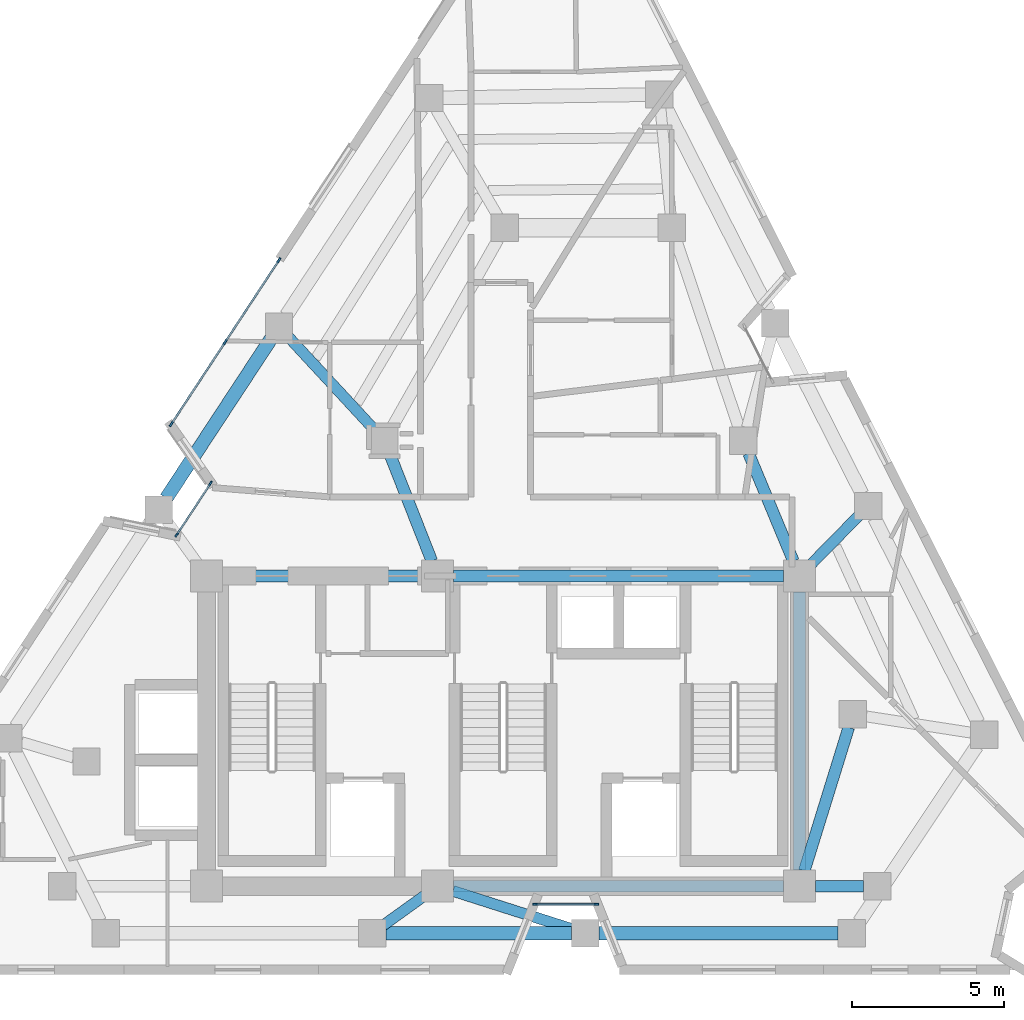
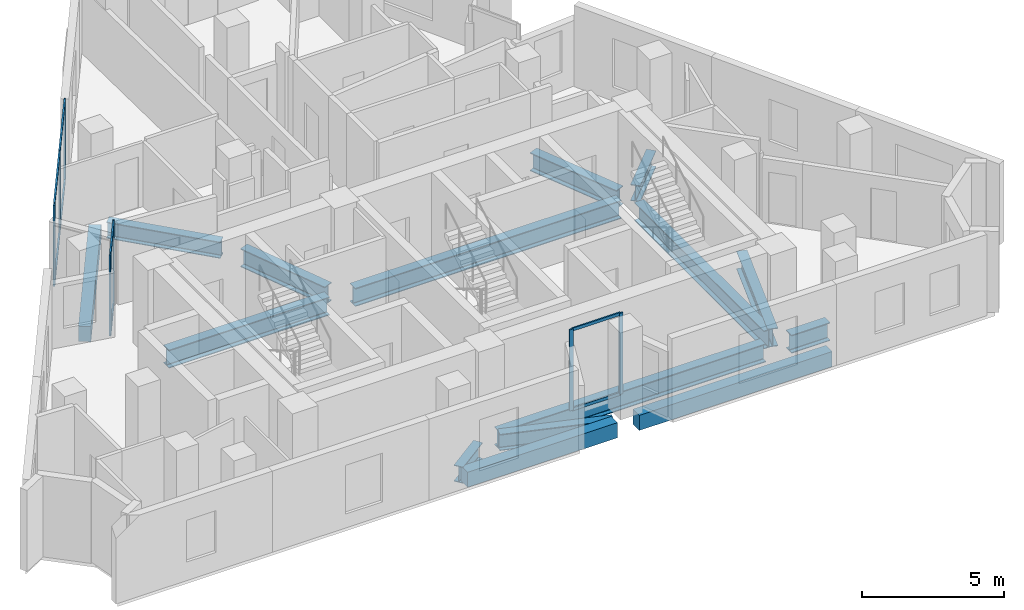
# One storey, part 2 of 9: 15 beams, 15 members, 3 elements without a shape of their own.
"""IFC4 building model written with IfcOpenShell, lengths in metres."""

from ifc_helpers import new_model, si_unit, direction, frame, origin, origin_2d, place, context, subcontext, project, spatial, rectangle, i_section, extrude, material, layer, layer_set, material_profile, profile_set, type_object, element, aggregate, save


model = new_model("IFC4")

# Units and contexts
model_context = context("Model", 3, precision=1e-05, world=origin(), true_north=direction((0.0, 1.0)))
body_context = subcontext(model_context, "Body", "Model", "MODEL_VIEW")
ifc_project = project(units=[si_unit("LENGTHUNIT", "METRE"), si_unit("AREAUNIT", "SQUARE_METRE"), si_unit("VOLUMEUNIT", "CUBIC_METRE"), si_unit("PLANEANGLEUNIT", "RADIAN"), si_unit("MASSUNIT", "GRAM", prefix="KILO")], contexts=[model_context])

# Site, building, storey
site_placement = place(None, origin())
site = spatial("IfcSite", under=ifc_project, at=site_placement, CompositionType="ELEMENT")
building_placement = place(site_placement, origin())
building = spatial("IfcBuilding", under=site, at=building_placement, Name="Almagre Mirador Tower", CompositionType="ELEMENT")
storey_placement = place(building_placement, frame((0.0, 0.0, 244.5)))
storey = spatial("IfcBuildingStorey", under=building, at=storey_placement, Name="L63", CompositionType="ELEMENT", Elevation=244.5)

# Beams
ifc_material_1 = material(Name="Precast concrete C50/60", Category="concrete")
ifc_material_profile_1 = material_profile(ifc_material_1, rectangle(XDim=0.449951171875, YDim=0.64990234375, at=origin_2d()), Name="RC450X650")
ifc_profile_set_1 = profile_set([ifc_material_profile_1], Name="Precast concrete C50/60")
beam_type_1 = type_object("IfcBeamType", Name="BM-SPN-RC450X650", PredefinedType="SPANDREL", material=ifc_profile_set_1)
beam_1_placement = place(storey_placement, frame((33.446044921875, 3.0, -0.574951171875), z_axis=(1.0, 0.0, 0.0), x_axis=(0.0, 1.0, 0.0)))
element("IfcBeam", 1, at=beam_1_placement, inside=storey, type_object=beam_type_1, Name="L63 perimeter spandrel beam PC02-PC03", PredefinedType="SPANDREL", context=body_context, shape_type="SweptSolid", body=[
    extrude(rectangle(XDim=0.449951171875, YDim=0.64990234375, at=origin_2d()), origin(), (0.0, 0.0, 1.0), 6.10791015625),
])
beam_2_placement = place(storey_placement, frame((40.4541015625, 3.0, -0.574951171875), z_axis=(1.0, 0.0, 0.0), x_axis=(0.0, 1.0, 0.0)))
element("IfcBeam", 2, at=beam_2_placement, inside=storey, type_object=beam_type_1, Name="L63 perimeter spandrel beam PC03-PC04", PredefinedType="SPANDREL", context=body_context, shape_type="SweptSolid", body=[
    extrude(rectangle(XDim=0.449951171875, YDim=0.64990234375, at=origin_2d()), origin(), (0.0, 0.0, 1.0), 7.85986328125),
])
beam_3_placement = place(storey_placement, frame((29.681884765625, 22.572998046875, -0.574951171875), z_axis=(-0.549024719226, -0.835806112492, 0.0), x_axis=(0.835806112492, -0.549024719226, 0.0)))
element("IfcBeam", 3, at=beam_3_placement, inside=storey, type_object=beam_type_1, Name="L63 perimeter spandrel beam PC10-PC11", PredefinedType="SPANDREL", context=body_context, shape_type="SweptSolid", body=[
    extrude(rectangle(XDim=0.449951171875, YDim=0.64990234375, at=origin_2d()), origin(), (0.0, 0.0, 1.0), 6.298095703125),
])
ifc_material_2 = material(Name="Steel ASTM A992 Grade 50", Category="steel")
ifc_material_profile_2 = material_profile(ifc_material_2, i_section(OverallWidth=0.35791015625, OverallDepth=0.7060546875, WebThickness=0.018310546875, FlangeThickness=0.0302734375, FilletRadius=0.02197265625, at=origin_2d()), Name="W27X178")
ifc_profile_set_2 = profile_set([ifc_material_profile_2], Name="Steel ASTM A992 Grade 50")
beam_type_2 = type_object("IfcBeamType", Name="BM-STL-W27X178", PredefinedType="BEAM", material=ifc_profile_set_2)
beam_4_placement = place(storey_placement, frame((33.361328125, 3.2626953125, -0.60302734375), z_axis=(0.81162535726, 0.584178294233, 0.0), x_axis=(-0.584178294233, 0.81162535726, 0.0)))
element("IfcBeam", 4, at=beam_4_placement, inside=storey, type_object=beam_type_2, Name="L63 radial floor girder PC02-CC2", PredefinedType="BEAM", context=body_context, shape_type="SweptSolid", body=[
    extrude(i_section(OverallWidth=0.35791015625, OverallDepth=0.7060546875, WebThickness=0.018310546875, FlangeThickness=0.0302734375, FilletRadius=0.02197265625, at=origin_2d()), origin(), (0.0, 0.0, 1.0), 1.6787109375),
])
beam_5_placement = place(storey_placement, frame((39.5751953125, 3.136962890625, -0.60302734375), z_axis=(-0.952606979741, 0.304203783914, 0.0), x_axis=(-0.304203783914, -0.952606979741, 0.0)))
element("IfcBeam", 5, at=beam_5_placement, inside=storey, type_object=beam_type_2, Name="L63 radial floor girder PC03-CC2", PredefinedType="BEAM", context=body_context, shape_type="SweptSolid", body=[
    extrude(i_section(OverallWidth=0.35791015625, OverallDepth=0.7060546875, WebThickness=0.018310546875, FlangeThickness=0.0302734375, FilletRadius=0.02197265625, at=origin_2d()), origin(), (0.0, 0.0, 1.0), 4.120361328125),
])
beam_6_placement = place(storey_placement, frame((48.99267578125, 16.72802734375, -0.60302734375), z_axis=(-0.700668518121, -0.713486949925, 0.0), x_axis=(0.713486949925, -0.700668518121, 0.0)))
element("IfcBeam", 6, at=beam_6_placement, inside=storey, type_object=beam_type_2, Name="L63 radial floor girder PC06-CC6", PredefinedType="BEAM", context=body_context, shape_type="SweptSolid", body=[
    extrude(i_section(OverallWidth=0.35791015625, OverallDepth=0.7060546875, WebThickness=0.018310546875, FlangeThickness=0.0302734375, FilletRadius=0.02197265625, at=origin_2d()), origin(), (0.0, 0.0, 1.0), 2.247314453125),
])
beam_7_placement = place(storey_placement, frame((30.234619140625, 22.618896484375, -0.60302734375), z_axis=(0.679380272184, -0.733786376112, 0.0), x_axis=(0.733786376112, 0.679380272184, 0.0)))
element("IfcBeam", 7, at=beam_7_placement, inside=storey, type_object=beam_type_2, Name="L63 radial floor girder PC10-MC8", PredefinedType="BEAM", context=body_context, shape_type="SweptSolid", body=[
    extrude(i_section(OverallWidth=0.35791015625, OverallDepth=0.7060546875, WebThickness=0.018310546875, FlangeThickness=0.0302734375, FilletRadius=0.02197265625, at=origin_2d()), origin(), (0.0, 0.0, 1.0), 4.209228515625),
])
ifc_material_3 = material(Name="Steel ASTM A992 Grade 50", Category="steel")
ifc_material_profile_3 = material_profile(ifc_material_3, i_section(OverallWidth=0.384033203125, OverallDepth=0.784912109375, WebThickness=0.019775390625, FlangeThickness=0.033447265625, FilletRadius=0.02392578125, at=origin_2d()), Name="W30X211")
ifc_profile_set_3 = profile_set([ifc_material_profile_3], Name="Steel ASTM A992 Grade 50")
beam_type_3 = type_object("IfcBeamType", Name="BM-STL-W30X211", PredefinedType="BEAM", material=ifc_profile_set_3)
beam_8_placement = place(storey_placement, frame((35.675048828125, 4.550048828125, -0.642578125), z_axis=(1.0, 0.0, 0.0), x_axis=(0.0, 1.0, 0.0)))
element("IfcBeam", 8, at=beam_8_placement, inside=storey, type_object=beam_type_3, Name="L63 core tie girder CC2-CC3", PredefinedType="BEAM", context=body_context, shape_type="SweptSolid", body=[
    extrude(i_section(OverallWidth=0.384033203125, OverallDepth=0.784912109375, WebThickness=0.019775390625, FlangeThickness=0.033447265625, FilletRadius=0.02392578125, at=origin_2d()), origin(), (0.0, 0.0, 1.0), 10.849853515625),
])
beam_9_placement = place(storey_placement, frame((28.074951171875, 14.75, -0.642578125), z_axis=(1.0, 0.0, 0.0), x_axis=(0.0, 1.0, 0.0)))
element("IfcBeam", 9, at=beam_9_placement, inside=storey, type_object=beam_type_3, Name="L63 core tie girder CC4-CC5", PredefinedType="BEAM", context=body_context, shape_type="SweptSolid", body=[
    extrude(i_section(OverallWidth=0.384033203125, OverallDepth=0.784912109375, WebThickness=0.019775390625, FlangeThickness=0.033447265625, FilletRadius=0.02392578125, at=origin_2d()), origin(), (0.0, 0.0, 1.0), 6.550048828125),
])
beam_10_placement = place(storey_placement, frame((35.675048828125, 14.75, -0.642578125), z_axis=(1.0, 0.0, 0.0), x_axis=(0.0, 1.0, 0.0)))
element("IfcBeam", 10, at=beam_10_placement, inside=storey, type_object=beam_type_3, Name="L63 core tie girder CC5-CC6", PredefinedType="BEAM", context=body_context, shape_type="SweptSolid", body=[
    extrude(i_section(OverallWidth=0.384033203125, OverallDepth=0.784912109375, WebThickness=0.019775390625, FlangeThickness=0.033447265625, FilletRadius=0.02392578125, at=origin_2d()), origin(), (0.0, 0.0, 1.0), 10.849853515625),
])
beam_11_placement = place(storey_placement, frame((47.050048828125, 5.074951171875, -0.642578125), z_axis=(0.0, 1.0, 0.0), x_axis=(-1.0, 0.0, 0.0)))
element("IfcBeam", 11, at=beam_11_placement, inside=storey, type_object=beam_type_3, Name="L63 core tie girder CC3-CC6", PredefinedType="BEAM", context=body_context, shape_type="SweptSolid", body=[
    extrude(i_section(OverallWidth=0.384033203125, OverallDepth=0.784912109375, WebThickness=0.019775390625, FlangeThickness=0.033447265625, FilletRadius=0.02392578125, at=origin_2d()), origin(), (0.0, 0.0, 1.0), 9.150146484375),
])
beam_12_placement = place(storey_placement, frame((49.14990234375, 4.550048828125, -0.642578125), z_axis=(-1.0, 0.0, 0.0), x_axis=(0.0, -1.0, 0.0)))
element("IfcBeam", 12, at=beam_12_placement, inside=storey, type_object=beam_type_3, Name="L63 core tie girder MC2-CC3", PredefinedType="BEAM", context=body_context, shape_type="SweptSolid", body=[
    extrude(i_section(OverallWidth=0.384033203125, OverallDepth=0.784912109375, WebThickness=0.019775390625, FlangeThickness=0.033447265625, FilletRadius=0.02392578125, at=origin_2d()), origin(), (0.0, 0.0, 1.0), 1.574951171875),
])
beam_13_placement = place(storey_placement, frame((48.6669921875, 9.77001953125, -0.642578125), z_axis=(-0.295901717967, -0.955218390372, 0.0), x_axis=(0.955218390372, -0.295901717967, 0.0)))
element("IfcBeam", 13, at=beam_13_placement, inside=storey, type_object=beam_type_3, Name="L63 core tie girder MC3-CC3", PredefinedType="BEAM", context=body_context, shape_type="SweptSolid", body=[
    extrude(i_section(OverallWidth=0.384033203125, OverallDepth=0.784912109375, WebThickness=0.019775390625, FlangeThickness=0.033447265625, FilletRadius=0.02392578125, at=origin_2d()), origin(), (0.0, 0.0, 1.0), 4.939697265625),
])
beam_14_placement = place(storey_placement, frame((45.372802734375, 18.784423828125, -0.642578125), z_axis=(0.383862140668, -0.923390414159, 0.0), x_axis=(0.923390414159, 0.383862140668, 0.0)))
element("IfcBeam", 14, at=beam_14_placement, inside=storey, type_object=beam_type_3, Name="L63 core tie girder MC5-CC6", PredefinedType="BEAM", context=body_context, shape_type="SweptSolid", body=[
    extrude(i_section(OverallWidth=0.384033203125, OverallDepth=0.784912109375, WebThickness=0.019775390625, FlangeThickness=0.033447265625, FilletRadius=0.02392578125, at=origin_2d()), origin(), (0.0, 0.0, 1.0), 3.843994140625),
])
beam_15_placement = place(storey_placement, frame((33.564697265625, 18.78125, -0.642578125), z_axis=(0.365999579355, -0.93061501595, 0.0), x_axis=(0.93061501595, 0.365999579355, 0.0)))
element("IfcBeam", 15, at=beam_15_placement, inside=storey, type_object=beam_type_3, Name="L63 core tie girder MC8-CC5", PredefinedType="BEAM", context=body_context, shape_type="SweptSolid", body=[
    extrude(i_section(OverallWidth=0.384033203125, OverallDepth=0.784912109375, WebThickness=0.019775390625, FlangeThickness=0.033447265625, FilletRadius=0.02392578125, at=origin_2d()), origin(), (0.0, 0.0, 1.0), 3.806884765625),
])

# Curtain wall, members
ifc_material_4 = material(Name="Black anodized aluminium", Category="aluminium")
ifc_layer_1 = layer(ifc_material_4, 0.169921875)
ifc_layer_set_1 = layer_set([ifc_layer_1], Name="Black anodized aluminium")
curtain_wall_type_1 = type_object("IfcCurtainWallType", Name="CW-CRS-SYS", PredefinedType="NOTDEFINED", material=ifc_layer_set_1)
curtain_wall_1_placement = place(storey_placement, origin())
curtain_wall_1 = element("IfcCurtainWall", 16, at=curtain_wall_1_placement, inside=storey, type_object=curtain_wall_type_1, Name="L63 vertical crease curtain wall 01", PredefinedType="NOTDEFINED")
ifc_material_5 = material(Name="Black anodized aluminium", Category="aluminium")
ifc_material_profile_4 = material_profile(ifc_material_5, rectangle(XDim=0.06005859375, YDim=0.14990234375, at=origin_2d()), Name="CWM60X150")
ifc_profile_set_4 = profile_set([ifc_material_profile_4], Name="Black anodized aluminium")
member_type_1 = type_object("IfcMemberType", Name="MBR-CWM60X150", PredefinedType="MULLION", material=ifc_profile_set_4)
member_1_placement = place(storey_placement, frame((26.5654296875, 16.09814453125, 0.0), z_axis=(0.0, 0.0, 1.0), x_axis=(-0.835931289344, 0.548834109267, 0.0)))
member_1 = element("IfcMember", 17, at=member_1_placement, type_object=member_type_1, Name="CW-4 mullion 1", PredefinedType="MULLION", context=body_context, shape_type="SweptSolid", body=[
    extrude(rectangle(XDim=0.06005859375, YDim=0.14990234375, at=origin_2d()), origin(), (0.0, 0.0, 1.0), 3.5),
])
member_2_placement = place(storey_placement, frame((27.679443359375, 17.794921875, 0.0), z_axis=(0.0, 0.0, 1.0), x_axis=(-0.835931289344, 0.548834109267, 0.0)))
member_2 = element("IfcMember", 18, at=member_2_placement, type_object=member_type_1, Name="CW-4 mullion 2", PredefinedType="MULLION", context=body_context, shape_type="SweptSolid", body=[
    extrude(rectangle(XDim=0.06005859375, YDim=0.14990234375, at=origin_2d()), origin(), (0.0, 0.0, 1.0), 3.5),
])

curtain_wall_2_placement = place(storey_placement, origin())
curtain_wall_2 = element("IfcCurtainWall", 19, at=curtain_wall_2_placement, inside=storey, type_object=curtain_wall_type_1, Name="L63 vertical crease curtain wall 04", PredefinedType="NOTDEFINED")
member_3_placement = place(storey_placement, frame((40.37890625, 3.949951171875, 0.0), z_axis=(0.0, 0.0, 1.0), x_axis=(0.0, -1.0, 0.0)))
member_3 = element("IfcMember", 20, at=member_3_placement, type_object=member_type_1, Name="CW-4 mullion 1", PredefinedType="MULLION", context=body_context, shape_type="SweptSolid", body=[
    extrude(rectangle(XDim=0.06005859375, YDim=0.14990234375, at=origin_2d()), origin(), (0.0, 0.0, 1.0), 3.5),
])
member_4_placement = place(storey_placement, frame((38.34912109375, 3.949951171875, 0.0), z_axis=(0.0, 0.0, 1.0), x_axis=(0.0, -1.0, 0.0)))
member_4 = element("IfcMember", 21, at=member_4_placement, type_object=member_type_1, Name="CW-4 mullion 2", PredefinedType="MULLION", context=body_context, shape_type="SweptSolid", body=[
    extrude(rectangle(XDim=0.06005859375, YDim=0.14990234375, at=origin_2d()), origin(), (0.0, 0.0, 1.0), 3.5),
])

ifc_material_6 = material(Name="Black anodized aluminium", Category="aluminium")
ifc_layer_2 = layer(ifc_material_6, 0.199951171875)
ifc_layer_set_2 = layer_set([ifc_layer_2], Name="Black anodized aluminium")
curtain_wall_type_2 = type_object("IfcCurtainWallType", Name="CW-RES-H-SYS", PredefinedType="NOTDEFINED", material=ifc_layer_set_2)
curtain_wall_3_placement = place(storey_placement, origin())
curtain_wall_3 = element("IfcCurtainWall", 22, at=curtain_wall_3_placement, inside=storey, type_object=curtain_wall_type_2, Name="L63 curtain wall run 02", PredefinedType="NOTDEFINED")
ifc_material_7 = material(Name="Black anodized aluminium", Category="aluminium")
ifc_material_profile_5 = material_profile(ifc_material_7, rectangle(XDim=0.06494140625, YDim=0.179931640625, at=origin_2d()), Name="CWM65X180")
ifc_profile_set_5 = profile_set([ifc_material_profile_5], Name="Black anodized aluminium")
member_type_2 = type_object("IfcMemberType", Name="MBR-CWM65X180", PredefinedType="MULLION", material=ifc_profile_set_5)
member_5_placement = place(storey_placement, frame((26.386962890625, 19.7421875, 0.0), z_axis=(0.0, 0.0, 1.0), x_axis=(-0.835800834097, 0.54903275469, 0.0)))
member_5 = element("IfcMember", 23, at=member_5_placement, type_object=member_type_2, Name="CW-3 mullion 1", PredefinedType="MULLION", context=body_context, shape_type="SweptSolid", body=[
    extrude(rectangle(XDim=0.06494140625, YDim=0.179931640625, at=origin_2d()), origin(), (0.0, 0.0, 1.0), 3.5),
])
member_6_placement = place(storey_placement, frame((28.158203125, 22.438720703125, 0.0), z_axis=(0.0, 0.0, 1.0), x_axis=(-0.835800834097, 0.54903275469, 0.0)))
member_6 = element("IfcMember", 24, at=member_6_placement, type_object=member_type_2, Name="CW-3 mullion 2", PredefinedType="MULLION", context=body_context, shape_type="SweptSolid", body=[
    extrude(rectangle(XDim=0.06494140625, YDim=0.179931640625, at=origin_2d()), origin(), (0.0, 0.0, 1.0), 3.5),
])
member_7_placement = place(storey_placement, frame((29.929443359375, 25.13525390625, 0.0), z_axis=(0.0, 0.0, 1.0), x_axis=(-0.835800834097, 0.54903275469, 0.0)))
member_7 = element("IfcMember", 25, at=member_7_placement, type_object=member_type_2, Name="CW-3 mullion 3", PredefinedType="MULLION", context=body_context, shape_type="SweptSolid", body=[
    extrude(rectangle(XDim=0.06494140625, YDim=0.179931640625, at=origin_2d()), origin(), (0.0, 0.0, 1.0), 3.5),
])

# Member
ifc_material_8 = material(Name="Black anodized aluminium", Category="aluminium")
ifc_material_profile_6 = material_profile(ifc_material_8, rectangle(XDim=0.06005859375, YDim=0.1298828125, at=origin_2d()), Name="CWT60X130")
ifc_profile_set_6 = profile_set([ifc_material_profile_6], Name="Black anodized aluminium")
member_type_3 = type_object("IfcMemberType", Name="MBR-CWT60X130", PredefinedType="USERDEFINED", material=ifc_profile_set_6)
member_8_placement = place(storey_placement, frame((26.58203125, 16.123046875, 0.030029296875), z_axis=(0.548794499346, 0.835957294057, 0.0), x_axis=(-0.835957294057, 0.548794499346, 0.0)))
member_8 = element("IfcMember", 26, at=member_8_placement, type_object=member_type_3, Name="CW-4 transom 1.1", ObjectType="TRANSOM", PredefinedType="USERDEFINED", context=body_context, shape_type="SweptSolid", body=[
    extrude(rectangle(XDim=0.06005859375, YDim=0.1298828125, at=origin_2d()), origin(), (0.0, 0.0, 1.0), 1.969970703125),
])

member_9_placement = place(storey_placement, frame((26.58203125, 16.123046875, 3.469970703125), z_axis=(0.548794499346, 0.835957294057, 0.0), x_axis=(-0.835957294057, 0.548794499346, 0.0)))
member_9 = element("IfcMember", 27, at=member_9_placement, type_object=member_type_3, Name="CW-4 transom 1.2", ObjectType="TRANSOM", PredefinedType="USERDEFINED", context=body_context, shape_type="SweptSolid", body=[
    extrude(rectangle(XDim=0.06005859375, YDim=0.1298828125, at=origin_2d()), origin(), (0.0, 0.0, 1.0), 1.969970703125),
])

aggregate(curtain_wall_1, [member_1, member_2, member_8, member_9])

member_10_placement = place(storey_placement, frame((40.34912109375, 3.949951171875, 0.030029296875), z_axis=(-1.0, 0.0, 0.0), x_axis=(0.0, -1.0, 0.0)))
member_10 = element("IfcMember", 28, at=member_10_placement, type_object=member_type_3, Name="CW-4 transom 1.1", ObjectType="TRANSOM", PredefinedType="USERDEFINED", context=body_context, shape_type="SweptSolid", body=[
    extrude(rectangle(XDim=0.06005859375, YDim=0.1298828125, at=origin_2d()), origin(), (0.0, 0.0, 1.0), 1.97021484375),
])

member_11_placement = place(storey_placement, frame((40.34912109375, 3.949951171875, 3.469970703125), z_axis=(-1.0, 0.0, 0.0), x_axis=(0.0, -1.0, 0.0)))
member_11 = element("IfcMember", 29, at=member_11_placement, type_object=member_type_3, Name="CW-4 transom 1.2", ObjectType="TRANSOM", PredefinedType="USERDEFINED", context=body_context, shape_type="SweptSolid", body=[
    extrude(rectangle(XDim=0.06005859375, YDim=0.1298828125, at=origin_2d()), origin(), (0.0, 0.0, 1.0), 1.97021484375),
])

aggregate(curtain_wall_2, [member_3, member_4, member_10, member_11])

ifc_material_9 = material(Name="Black anodized aluminium", Category="aluminium")
ifc_material_profile_7 = material_profile(ifc_material_9, rectangle(XDim=0.06494140625, YDim=0.14990234375, at=origin_2d()), Name="CWT65X150")
ifc_profile_set_7 = profile_set([ifc_material_profile_7], Name="Black anodized aluminium")
member_type_4 = type_object("IfcMemberType", Name="MBR-CWT65X150", PredefinedType="USERDEFINED", material=ifc_profile_set_7)
member_12_placement = place(storey_placement, frame((26.40478515625, 19.769287109375, 0.032470703125), z_axis=(0.549037638428, 0.835797625977, 0.0), x_axis=(-0.835797625977, 0.549037638428, 0.0)))
member_12 = element("IfcMember", 30, at=member_12_placement, type_object=member_type_4, Name="CW-3 transom 1.1", ObjectType="TRANSOM", PredefinedType="USERDEFINED", context=body_context, shape_type="SweptSolid", body=[
    extrude(rectangle(XDim=0.06494140625, YDim=0.14990234375, at=origin_2d()), origin(), (0.0, 0.0, 1.0), 3.1611328125),
])

member_13_placement = place(storey_placement, frame((26.40478515625, 19.769287109375, 3.467529296875), z_axis=(0.549037638428, 0.835797625977, 0.0), x_axis=(-0.835797625977, 0.549037638428, 0.0)))
member_13 = element("IfcMember", 31, at=member_13_placement, type_object=member_type_4, Name="CW-3 transom 1.2", ObjectType="TRANSOM", PredefinedType="USERDEFINED", context=body_context, shape_type="SweptSolid", body=[
    extrude(rectangle(XDim=0.06494140625, YDim=0.14990234375, at=origin_2d()), origin(), (0.0, 0.0, 1.0), 3.1611328125),
])

member_14_placement = place(storey_placement, frame((28.176025390625, 22.4658203125, 0.032470703125), z_axis=(0.549037638428, 0.835797625977, 0.0), x_axis=(-0.835797625977, 0.549037638428, 0.0)))
member_14 = element("IfcMember", 32, at=member_14_placement, type_object=member_type_4, Name="CW-3 transom 2.1", ObjectType="TRANSOM", PredefinedType="USERDEFINED", context=body_context, shape_type="SweptSolid", body=[
    extrude(rectangle(XDim=0.06494140625, YDim=0.14990234375, at=origin_2d()), origin(), (0.0, 0.0, 1.0), 3.1611328125),
])

member_15_placement = place(storey_placement, frame((28.176025390625, 22.4658203125, 3.467529296875), z_axis=(0.549037638428, 0.835797625977, 0.0), x_axis=(-0.835797625977, 0.549037638428, 0.0)))
member_15 = element("IfcMember", 33, at=member_15_placement, type_object=member_type_4, Name="CW-3 transom 2.2", ObjectType="TRANSOM", PredefinedType="USERDEFINED", context=body_context, shape_type="SweptSolid", body=[
    extrude(rectangle(XDim=0.06494140625, YDim=0.14990234375, at=origin_2d()), origin(), (0.0, 0.0, 1.0), 3.1611328125),
])

aggregate(curtain_wall_3, [member_5, member_6, member_7, member_12, member_13, member_14, member_15])

save(model, "model.ifc")
